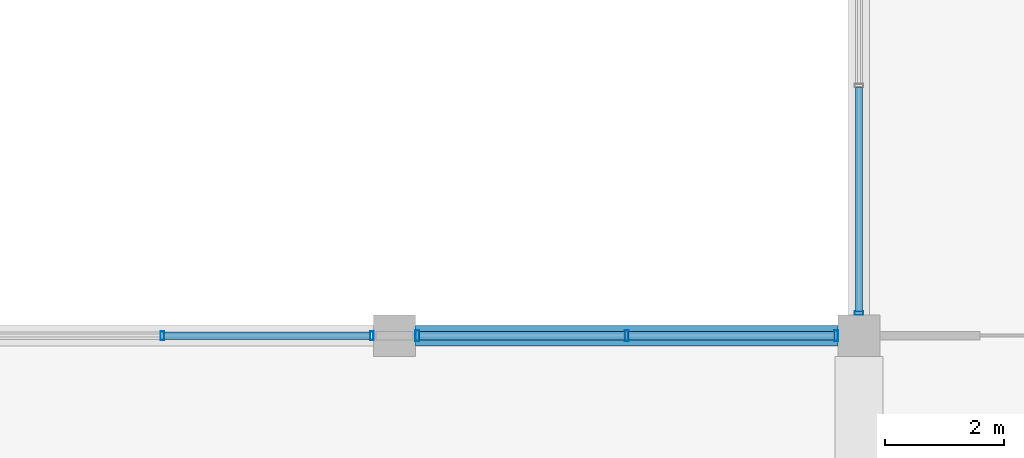
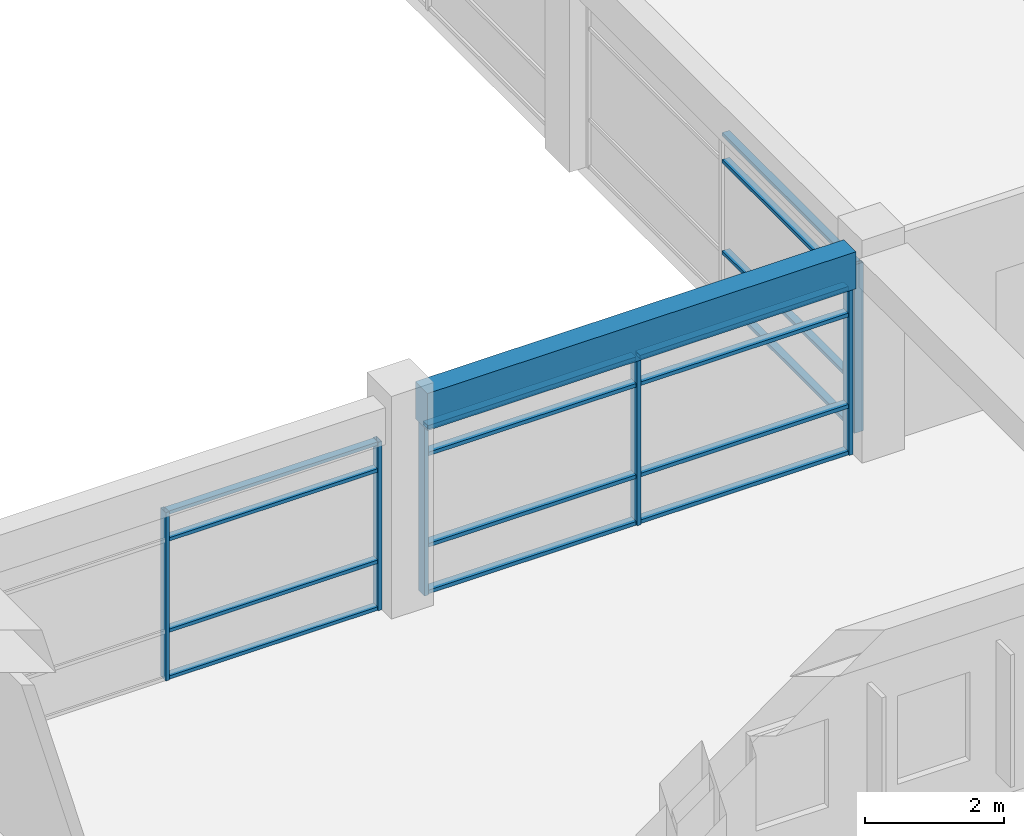
# One storey, part 26 of 72: 22 members, 1 beam, 3 elements without a shape of their own.
"""IFC4 building model written with IfcOpenShell, lengths in metres."""

from ifc_helpers import new_model, si_unit, direction, frame, origin, origin_2d, place, context, subcontext, project, spatial, rectangle, hollow_rectangle, extrude, material, material_profile, profile_set, type_object, element, aggregate, save


model = new_model("IFC4")

# Units and contexts
model_context = context("Model", 3, precision=1e-05, world=origin(), true_north=direction((0.0, 1.0)))
body_context = subcontext(model_context, "Body", "Model", "MODEL_VIEW")
ifc_project = project(units=[si_unit("LENGTHUNIT", "METRE"), si_unit("AREAUNIT", "SQUARE_METRE"), si_unit("VOLUMEUNIT", "CUBIC_METRE"), si_unit("PLANEANGLEUNIT", "RADIAN"), si_unit("MASSUNIT", "GRAM", prefix="KILO"), si_unit("THERMODYNAMICTEMPERATUREUNIT", "KELVIN"), si_unit("POWERUNIT", "WATT")], contexts=[model_context])

# Site, building, storey
site_placement = place(None, origin())
site = spatial("IfcSite", under=ifc_project, at=site_placement, CompositionType="ELEMENT")
building_placement = place(site_placement, origin())
building = spatial("IfcBuilding", under=site, at=building_placement, Name="Srebrne Nadtorze General Hospital", CompositionType="ELEMENT")
storey_placement = place(building_placement, frame((0.0, 0.0, 22.199951171875)))
storey = spatial("IfcBuildingStorey", under=building, at=storey_placement, Name="L05", CompositionType="ELEMENT", Elevation=22.199951171875)

# Curtain wall, members
ifc_material_1 = material(Name="Anodised Aluminium", Category="aluminium")
curtain_wall_type_1 = type_object("IfcCurtainWallType", Name="Unitised curtain wall 7100x2950", PredefinedType="NOTDEFINED", material=ifc_material_1)
curtain_wall_1_placement = place(storey_placement, origin())
curtain_wall_1 = element("IfcCurtainWall", 1, at=curtain_wall_1_placement, inside=storey, type_object=curtain_wall_type_1, Name="Curtain wall CW-114", PredefinedType="NOTDEFINED")
ifc_material_2 = material(Name="Anodised Aluminium", Category="aluminium")
ifc_material_profile_1 = material_profile(ifc_material_2, hollow_rectangle(XDim=0.06005859375, YDim=0.14990234375, WallThickness=0.00390625, at=origin_2d()), Name="AL-MUL-60x150")
ifc_profile_set_1 = profile_set([ifc_material_profile_1], Name="Anodised Aluminium")
member_type_1 = type_object("IfcMemberType", Name="Curtain mullion 60x150", PredefinedType="MULLION", material=ifc_profile_set_1)
member_1_placement = place(storey_placement, frame((120.89990234375, 8.39990234375, 0.0), z_axis=(0.0, 0.0, 1.0), x_axis=(1.0, 0.0, 0.0)))
member_1 = element("IfcMember", 2, at=member_1_placement, type_object=member_type_1, Name="CW-114 mullion 2", PredefinedType="MULLION", context=body_context, shape_type="SweptSolid", body=[
    extrude(hollow_rectangle(XDim=0.06005859375, YDim=0.14990234375, WallThickness=0.00390625, at=origin_2d()), origin(), (0.0, 0.0, 1.0), 2.949951171875),
])
member_2_placement = place(storey_placement, frame((124.419921875, 8.39990234375, 0.0), z_axis=(0.0, 0.0, 1.0), x_axis=(1.0, 0.0, 0.0)))
member_2 = element("IfcMember", 3, at=member_2_placement, type_object=member_type_1, Name="CW-114 mullion 3", PredefinedType="MULLION", context=body_context, shape_type="SweptSolid", body=[
    extrude(hollow_rectangle(XDim=0.06005859375, YDim=0.14990234375, WallThickness=0.00390625, at=origin_2d()), origin(), (0.0, 0.0, 1.0), 2.949951171875),
])

# Curtain wall, member
ifc_material_3 = material(Name="Anodised Aluminium", Category="aluminium")
curtain_wall_type_2 = type_object("IfcCurtainWallType", Name="Unitised curtain wall 7700x2950", PredefinedType="NOTDEFINED", material=ifc_material_3)
curtain_wall_2_placement = place(storey_placement, origin())
curtain_wall_2 = element("IfcCurtainWall", 4, at=curtain_wall_2_placement, inside=storey, type_object=curtain_wall_type_2, Name="Curtain wall CW-136", PredefinedType="NOTDEFINED")
member_3_placement = place(storey_placement, frame((132.60009765625, 8.780029296875, 0.0), z_axis=(0.0, 0.0, 1.0), x_axis=(0.0, 1.0, 0.0)))
member_3 = element("IfcMember", 5, at=member_3_placement, type_object=member_type_1, Name="CW-136 mullion 1", PredefinedType="MULLION", context=body_context, shape_type="SweptSolid", body=[
    extrude(hollow_rectangle(XDim=0.06005859375, YDim=0.14990234375, WallThickness=0.00390625, at=origin_2d()), origin(), (0.0, 0.0, 1.0), 2.949951171875),
])

# Curtain wall, members
curtain_wall_3_placement = place(storey_placement, origin())
curtain_wall_3 = element("IfcCurtainWall", 6, at=curtain_wall_3_placement, inside=storey, type_object=curtain_wall_type_1, Name="Curtain wall CW-115", PredefinedType="NOTDEFINED")
ifc_material_4 = material(Name="Anodised Aluminium", Category="aluminium")
ifc_material_profile_2 = material_profile(ifc_material_4, hollow_rectangle(XDim=0.06494140625, YDim=0.179931640625, WallThickness=0.00390625, at=origin_2d()), Name="AL-MUL-65x180")
ifc_profile_set_2 = profile_set([ifc_material_profile_2], Name="Anodised Aluminium")
member_type_2 = type_object("IfcMemberType", Name="Curtain mullion 65x180", PredefinedType="MULLION", material=ifc_profile_set_2)
member_4_placement = place(storey_placement, frame((125.1826171875, 8.39990234375, 0.0), z_axis=(0.0, 0.0, 1.0), x_axis=(1.0, 0.0, 0.0)))
member_4 = element("IfcMember", 7, at=member_4_placement, type_object=member_type_2, Name="CW-115 mullion 1", PredefinedType="MULLION", context=body_context, shape_type="SweptSolid", body=[
    extrude(hollow_rectangle(XDim=0.06494140625, YDim=0.179931640625, WallThickness=0.00390625, at=origin_2d()), origin(), (0.0, 0.0, 1.0), 2.949951171875),
])
member_5_placement = place(storey_placement, frame((128.699951171875, 8.39990234375, 0.0), z_axis=(0.0, 0.0, 1.0), x_axis=(1.0, 0.0, 0.0)))
member_5 = element("IfcMember", 8, at=member_5_placement, type_object=member_type_2, Name="CW-115 mullion 2", PredefinedType="MULLION", context=body_context, shape_type="SweptSolid", body=[
    extrude(hollow_rectangle(XDim=0.06494140625, YDim=0.179931640625, WallThickness=0.00390625, at=origin_2d()), origin(), (0.0, 0.0, 1.0), 2.949951171875),
])
member_6_placement = place(storey_placement, frame((132.217529296875, 8.39990234375, 0.0), z_axis=(0.0, 0.0, 1.0), x_axis=(1.0, 0.0, 0.0)))
member_6 = element("IfcMember", 9, at=member_6_placement, type_object=member_type_2, Name="CW-115 mullion 3", PredefinedType="MULLION", context=body_context, shape_type="SweptSolid", body=[
    extrude(hollow_rectangle(XDim=0.06494140625, YDim=0.179931640625, WallThickness=0.00390625, at=origin_2d()), origin(), (0.0, 0.0, 1.0), 2.949951171875),
])

# Member
ifc_material_5 = material(Name="Anodised Aluminium", Category="aluminium")
ifc_material_profile_3 = material_profile(ifc_material_5, hollow_rectangle(XDim=0.06005859375, YDim=0.1201171875, WallThickness=0.00390625, at=origin_2d()), Name="AL-TRN-60x120")
ifc_profile_set_3 = profile_set([ifc_material_profile_3], Name="Anodised Aluminium")
member_type_3 = type_object("IfcMemberType", Name="Curtain transom 60x120", PredefinedType="USERDEFINED", material=ifc_profile_set_3)
member_7_placement = place(storey_placement, frame((120.929931640625, 8.39990234375, 0.030029296875), z_axis=(1.0, 0.0, 0.0), x_axis=(0.0, 0.0, 1.0)))
member_7 = element("IfcMember", 10, at=member_7_placement, type_object=member_type_3, Name="CW-114 transom 2.1", ObjectType="TRANSOM", PredefinedType="USERDEFINED", context=body_context, shape_type="SweptSolid", body=[
    extrude(hollow_rectangle(XDim=0.06005859375, YDim=0.1201171875, WallThickness=0.00390625, at=origin_2d()), origin(), (0.0, 0.0, 1.0), 3.4599609375),
])

member_8_placement = place(storey_placement, frame((120.929931640625, 8.39990234375, 0.85009765625), z_axis=(1.0, 0.0, 0.0), x_axis=(0.0, 0.0, 1.0)))
member_8 = element("IfcMember", 11, at=member_8_placement, type_object=member_type_3, Name="CW-114 transom 2.2", ObjectType="TRANSOM", PredefinedType="USERDEFINED", context=body_context, shape_type="SweptSolid", body=[
    extrude(hollow_rectangle(XDim=0.06005859375, YDim=0.1201171875, WallThickness=0.00390625, at=origin_2d()), origin(), (0.0, 0.0, 1.0), 3.4599609375),
])

member_9_placement = place(storey_placement, frame((120.929931640625, 8.39990234375, 2.449951171875), z_axis=(1.0, 0.0, 0.0), x_axis=(0.0, 0.0, 1.0)))
member_9 = element("IfcMember", 12, at=member_9_placement, type_object=member_type_3, Name="CW-114 transom 2.3", ObjectType="TRANSOM", PredefinedType="USERDEFINED", context=body_context, shape_type="SweptSolid", body=[
    extrude(hollow_rectangle(XDim=0.06005859375, YDim=0.1201171875, WallThickness=0.00390625, at=origin_2d()), origin(), (0.0, 0.0, 1.0), 3.4599609375),
])

member_10_placement = place(storey_placement, frame((120.929931640625, 8.39990234375, 2.920166015625), z_axis=(1.0, 0.0, 0.0), x_axis=(0.0, 0.0, 1.0)))
member_10 = element("IfcMember", 13, at=member_10_placement, type_object=member_type_3, Name="CW-114 transom 2.4", ObjectType="TRANSOM", PredefinedType="USERDEFINED", context=body_context, shape_type="SweptSolid", body=[
    extrude(hollow_rectangle(XDim=0.06005859375, YDim=0.1201171875, WallThickness=0.00390625, at=origin_2d()), origin(), (0.0, 0.0, 1.0), 3.4599609375),
])

aggregate(curtain_wall_1, [member_1, member_2, member_7, member_8, member_9, member_10])

member_11_placement = place(storey_placement, frame((132.60009765625, 8.81005859375, 0.030029296875), z_axis=(0.0, 1.0, 0.0), x_axis=(0.0, 0.0, 1.0)))
member_11 = element("IfcMember", 14, at=member_11_placement, type_object=member_type_3, Name="CW-136 transom 1.1", ObjectType="TRANSOM", PredefinedType="USERDEFINED", context=body_context, shape_type="SweptSolid", body=[
    extrude(hollow_rectangle(XDim=0.06005859375, YDim=0.1201171875, WallThickness=0.00390625, at=origin_2d()), origin(), (0.0, 0.0, 1.0), 3.760009765625),
])

member_12_placement = place(storey_placement, frame((132.60009765625, 8.81005859375, 0.85009765625), z_axis=(0.0, 1.0, 0.0), x_axis=(0.0, 0.0, 1.0)))
member_12 = element("IfcMember", 15, at=member_12_placement, type_object=member_type_3, Name="CW-136 transom 1.2", ObjectType="TRANSOM", PredefinedType="USERDEFINED", context=body_context, shape_type="SweptSolid", body=[
    extrude(hollow_rectangle(XDim=0.06005859375, YDim=0.1201171875, WallThickness=0.00390625, at=origin_2d()), origin(), (0.0, 0.0, 1.0), 3.760009765625),
])

member_13_placement = place(storey_placement, frame((132.60009765625, 8.81005859375, 2.449951171875), z_axis=(0.0, 1.0, 0.0), x_axis=(0.0, 0.0, 1.0)))
member_13 = element("IfcMember", 16, at=member_13_placement, type_object=member_type_3, Name="CW-136 transom 1.3", ObjectType="TRANSOM", PredefinedType="USERDEFINED", context=body_context, shape_type="SweptSolid", body=[
    extrude(hollow_rectangle(XDim=0.06005859375, YDim=0.1201171875, WallThickness=0.00390625, at=origin_2d()), origin(), (0.0, 0.0, 1.0), 3.760009765625),
])

member_14_placement = place(storey_placement, frame((132.60009765625, 8.81005859375, 2.920166015625), z_axis=(0.0, 1.0, 0.0), x_axis=(0.0, 0.0, 1.0)))
member_14 = element("IfcMember", 17, at=member_14_placement, type_object=member_type_3, Name="CW-136 transom 1.4", ObjectType="TRANSOM", PredefinedType="USERDEFINED", context=body_context, shape_type="SweptSolid", body=[
    extrude(hollow_rectangle(XDim=0.06005859375, YDim=0.1201171875, WallThickness=0.00390625, at=origin_2d()), origin(), (0.0, 0.0, 1.0), 3.760009765625),
])

aggregate(curtain_wall_2, [member_3, member_11, member_12, member_13, member_14])

ifc_material_6 = material(Name="Anodised Aluminium", Category="aluminium")
ifc_material_profile_4 = material_profile(ifc_material_6, hollow_rectangle(XDim=0.06494140625, YDim=0.139892578125, WallThickness=0.00390625, at=origin_2d()), Name="AL-TRN-65x140")
ifc_profile_set_4 = profile_set([ifc_material_profile_4], Name="Anodised Aluminium")
member_type_4 = type_object("IfcMemberType", Name="Curtain transom 65x140", PredefinedType="USERDEFINED", material=ifc_profile_set_4)
member_15_placement = place(storey_placement, frame((125.215087890625, 8.39990234375, 0.032470703125), z_axis=(1.0, 0.0, 0.0), x_axis=(0.0, 0.0, 1.0)))
member_15 = element("IfcMember", 18, at=member_15_placement, type_object=member_type_4, Name="CW-115 transom 1.1", ObjectType="TRANSOM", PredefinedType="USERDEFINED", context=body_context, shape_type="SweptSolid", body=[
    extrude(hollow_rectangle(XDim=0.06494140625, YDim=0.139892578125, WallThickness=0.00390625, at=origin_2d()), origin(), (0.0, 0.0, 1.0), 3.452392578125),
])

member_16_placement = place(storey_placement, frame((125.215087890625, 8.39990234375, 0.85009765625), z_axis=(1.0, 0.0, 0.0), x_axis=(0.0, 0.0, 1.0)))
member_16 = element("IfcMember", 19, at=member_16_placement, type_object=member_type_4, Name="CW-115 transom 1.2", ObjectType="TRANSOM", PredefinedType="USERDEFINED", context=body_context, shape_type="SweptSolid", body=[
    extrude(hollow_rectangle(XDim=0.06494140625, YDim=0.139892578125, WallThickness=0.00390625, at=origin_2d()), origin(), (0.0, 0.0, 1.0), 3.452392578125),
])

member_17_placement = place(storey_placement, frame((125.215087890625, 8.39990234375, 2.449951171875), z_axis=(1.0, 0.0, 0.0), x_axis=(0.0, 0.0, 1.0)))
member_17 = element("IfcMember", 20, at=member_17_placement, type_object=member_type_4, Name="CW-115 transom 1.3", ObjectType="TRANSOM", PredefinedType="USERDEFINED", context=body_context, shape_type="SweptSolid", body=[
    extrude(hollow_rectangle(XDim=0.06494140625, YDim=0.139892578125, WallThickness=0.00390625, at=origin_2d()), origin(), (0.0, 0.0, 1.0), 3.452392578125),
])

member_18_placement = place(storey_placement, frame((125.215087890625, 8.39990234375, 2.91748046875), z_axis=(1.0, 0.0, 0.0), x_axis=(0.0, 0.0, 1.0)))
member_18 = element("IfcMember", 21, at=member_18_placement, type_object=member_type_4, Name="CW-115 transom 1.4", ObjectType="TRANSOM", PredefinedType="USERDEFINED", context=body_context, shape_type="SweptSolid", body=[
    extrude(hollow_rectangle(XDim=0.06494140625, YDim=0.139892578125, WallThickness=0.00390625, at=origin_2d()), origin(), (0.0, 0.0, 1.0), 3.452392578125),
])

member_19_placement = place(storey_placement, frame((128.732421875, 8.39990234375, 0.032470703125), z_axis=(1.0, 0.0, 0.0), x_axis=(0.0, 0.0, 1.0)))
member_19 = element("IfcMember", 22, at=member_19_placement, type_object=member_type_4, Name="CW-115 transom 2.1", ObjectType="TRANSOM", PredefinedType="USERDEFINED", context=body_context, shape_type="SweptSolid", body=[
    extrude(hollow_rectangle(XDim=0.06494140625, YDim=0.139892578125, WallThickness=0.00390625, at=origin_2d()), origin(), (0.0, 0.0, 1.0), 3.45263671875),
])

member_20_placement = place(storey_placement, frame((128.732421875, 8.39990234375, 0.85009765625), z_axis=(1.0, 0.0, 0.0), x_axis=(0.0, 0.0, 1.0)))
member_20 = element("IfcMember", 23, at=member_20_placement, type_object=member_type_4, Name="CW-115 transom 2.2", ObjectType="TRANSOM", PredefinedType="USERDEFINED", context=body_context, shape_type="SweptSolid", body=[
    extrude(hollow_rectangle(XDim=0.06494140625, YDim=0.139892578125, WallThickness=0.00390625, at=origin_2d()), origin(), (0.0, 0.0, 1.0), 3.45263671875),
])

member_21_placement = place(storey_placement, frame((128.732421875, 8.39990234375, 2.449951171875), z_axis=(1.0, 0.0, 0.0), x_axis=(0.0, 0.0, 1.0)))
member_21 = element("IfcMember", 24, at=member_21_placement, type_object=member_type_4, Name="CW-115 transom 2.3", ObjectType="TRANSOM", PredefinedType="USERDEFINED", context=body_context, shape_type="SweptSolid", body=[
    extrude(hollow_rectangle(XDim=0.06494140625, YDim=0.139892578125, WallThickness=0.00390625, at=origin_2d()), origin(), (0.0, 0.0, 1.0), 3.45263671875),
])

member_22_placement = place(storey_placement, frame((128.732421875, 8.39990234375, 2.91748046875), z_axis=(1.0, 0.0, 0.0), x_axis=(0.0, 0.0, 1.0)))
member_22 = element("IfcMember", 25, at=member_22_placement, type_object=member_type_4, Name="CW-115 transom 2.4", ObjectType="TRANSOM", PredefinedType="USERDEFINED", context=body_context, shape_type="SweptSolid", body=[
    extrude(hollow_rectangle(XDim=0.06494140625, YDim=0.139892578125, WallThickness=0.00390625, at=origin_2d()), origin(), (0.0, 0.0, 1.0), 3.45263671875),
])

aggregate(curtain_wall_3, [member_4, member_5, member_6, member_15, member_16, member_17, member_18, member_19, member_20, member_21, member_22])

# Beam
ifc_material_7 = material(Name="Concrete C35/45", Category="concrete")
ifc_material_profile_5 = material_profile(ifc_material_7, rectangle(XDim=0.35009765625, YDim=0.64990234375, at=origin_2d()), Name="RC-BM-350x650")
ifc_profile_set_5 = profile_set([ifc_material_profile_5], Name="Concrete C35/45")
beam_type = type_object("IfcBeamType", Name="Edge beam RC 350x650", PredefinedType="BEAM", material=ifc_profile_set_5)
beam_placement = place(storey_placement, frame((125.14990234375, 8.39990234375, 3.275146484375), z_axis=(1.0, 0.0, 0.0), x_axis=(0.0, 1.0, 0.0)))
element("IfcBeam", 26, at=beam_placement, inside=storey, type_object=beam_type, Name="Beam BM-L05-X-1007", PredefinedType="BEAM", context=body_context, shape_type="SweptSolid", body=[
    extrude(rectangle(XDim=0.35009765625, YDim=0.64990234375, at=origin_2d()), origin(), (0.0, 0.0, 1.0), 7.10009765625),
])

save(model, "model.ifc")
